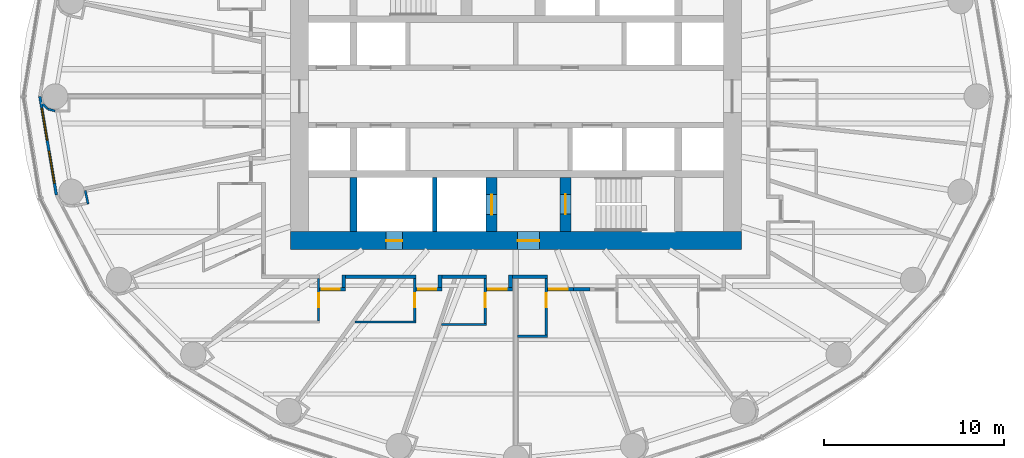
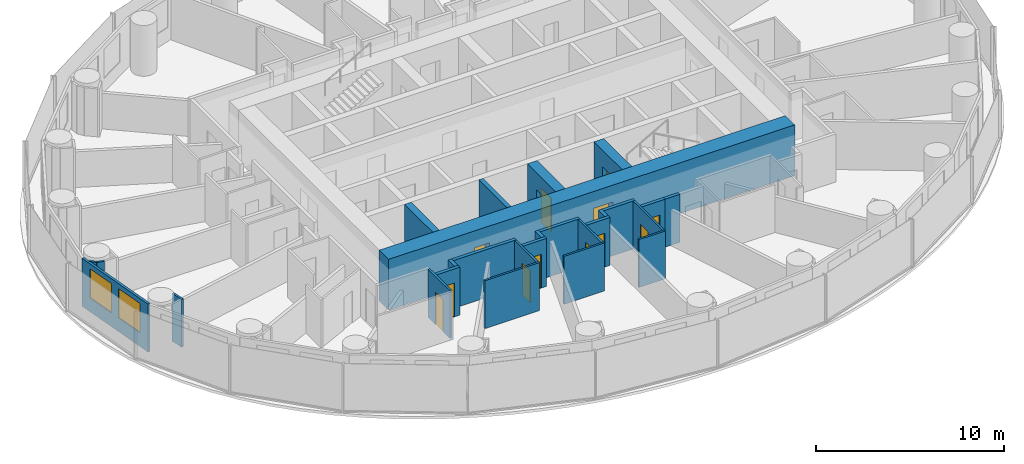
# One storey, part 7 of 14: 27 walls, 12 doors, 2 windows, 14 openings.
"""IFC4 building model written with IfcOpenShell, lengths in metres."""

import ifcopenshell
import ifcopenshell.guid

model = None  # the IFC model being written
_history = None  # IfcOwnerHistory: only IFC2X3 demands one
_inside = {}  # id of a spatial element -> (the spatial element, [elements in it])
_under = {}  # id of a project, library or spatial element -> (it, [spatial elements below it])
_declared = {}  # id of a project -> (the project, [libraries it declares])
_typed = {}  # id of a type object -> (the type object, [elements of that type])
_made_of = {}  # id of a material, layer set ... -> (it, [elements and type objects made of it])


def new_model(schema):
    """Start an empty IFC model of exactly this schema.

    Asked for "IFC4X3", IfcOpenShell would pick the latest addendum, in which some entities
    have other attributes; the version numbers below select the first issue.
    IFC2X3 requires an IfcOwnerHistory on every rooted entity: one is made here for all.
    """
    global model, _history
    if schema == "IFC4X3":
        model = ifcopenshell.file(schema_version=(4, 3, 0, 0))
    else:
        model = ifcopenshell.file(schema=schema)
    _inside.clear()
    _under.clear()
    _declared.clear()
    _typed.clear()
    _made_of.clear()
    _history = None
    if model.schema == "IFC2X3":
        org = make("IfcOrganization", Name="unknown")
        user = make(
            "IfcPersonAndOrganization",
            ThePerson=make("IfcPerson", FamilyName="unknown"),
            TheOrganization=org,
        )
        app = make(
            "IfcApplication",
            ApplicationDeveloper=org,
            Version="unknown",
            ApplicationFullName="unknown",
            ApplicationIdentifier="unknown",
        )
        _history = make(
            "IfcOwnerHistory",
            OwningUser=user,
            OwningApplication=app,
            ChangeAction="ADDED",
            CreationDate=0,
        )
    return model


def make(cls, **values):
    """One entity of the class cls with the attributes given. An attribute that is None is left unset."""
    return model.create_entity(
        cls, **{name: value for name, value in values.items() if value is not None}
    )


def rooted(cls, **values):
    """An entity with a GlobalId (a new one), such as an element, a storey or a relation."""
    return make(cls, GlobalId=ifcopenshell.guid.new(), OwnerHistory=_history, **values)


def si_unit(unit_type, name, prefix=None):
    """IfcSIUnit, for example si_unit("LENGTHUNIT", "METRE", prefix="MILLI")."""
    return make("IfcSIUnit", UnitType=unit_type, Prefix=prefix, Name=name)


def assignment(units):
    """IfcUnitAssignment: the units of a project."""
    return None if units is None else make("IfcUnitAssignment", Units=units)


def point(xyz):
    """IfcCartesianPoint."""
    return None if xyz is None else make("IfcCartesianPoint", Coordinates=xyz)


def direction(xyz):
    """IfcDirection."""
    return None if xyz is None else make("IfcDirection", DirectionRatios=xyz)


def frame(location, z_axis=None, x_axis=None):
    """IfcAxis2Placement3D, a coordinate frame: its origin and axes. An axis left out is left unset."""
    return make(
        "IfcAxis2Placement3D",
        Location=point(location),
        Axis=direction(z_axis),
        RefDirection=direction(x_axis),
    )


def frame_2d(location, x_axis=None):
    """IfcAxis2Placement2D, a coordinate frame in the plane: its origin and x axis."""
    return make(
        "IfcAxis2Placement2D", Location=point(location), RefDirection=direction(x_axis)
    )


def origin():
    """The frame at (0, 0, 0) with its axes left unset."""
    return frame((0.0, 0.0, 0.0))


def place(relative_to, where):
    """IfcLocalPlacement: puts the frame where relative to a parent placement (None: the world)."""
    return make(
        "IfcLocalPlacement", PlacementRelTo=relative_to, RelativePlacement=where
    )


def context(
    kind, dimensions, precision=None, world=None, true_north=None, identifier=None
):
    """IfcGeometricRepresentationContext, for example the 3D "Model" context."""
    return make(
        "IfcGeometricRepresentationContext",
        ContextIdentifier=identifier,
        ContextType=kind,
        CoordinateSpaceDimension=dimensions,
        Precision=precision,
        WorldCoordinateSystem=world,
        TrueNorth=true_north,
    )


def subcontext(parent, identifier, kind, view, scale=None):
    """IfcGeometricRepresentationSubContext, for example "Body" below "Model"."""
    return make(
        "IfcGeometricRepresentationSubContext",
        ContextIdentifier=identifier,
        ContextType=kind,
        ParentContext=parent,
        TargetScale=scale,
        TargetView=view,
    )


def project(units=None, contexts=None):
    """IfcProject with its units and contexts."""
    return rooted(
        "IfcProject",
        Name="project",
        RepresentationContexts=contexts,
        UnitsInContext=assignment(units),
    )


def spatial(cls, under=None, at=None, **own):
    """A site, building, storey or space (cls), placed at a placement, below another one or the project."""
    s = rooted(cls, ObjectPlacement=at, **own)
    if under is not None:
        _under.setdefault(under.id(), (under, []))[1].append(s)
    return s


def profile(cls, at=None, kind="AREA", **sizes):
    """A parametric profile (cls). Its sizes go by their IFC names, for example OverallWidth=200.0."""
    return make(cls, ProfileType=kind, Position=at, **sizes)


def rectangle(**sizes):
    """IfcRectangleProfileDef."""
    return profile("IfcRectangleProfileDef", **sizes)


def extrude(swept, where, along, depth):
    """IfcExtrudedAreaSolid: the profile swept, set in the frame where, extruded along a direction by depth."""
    return make(
        "IfcExtrudedAreaSolid",
        SweptArea=swept,
        Position=where,
        ExtrudedDirection=direction(along),
        Depth=depth,
    )


def shape(context_of_items, identifier, shape_type, items):
    """IfcShapeRepresentation: the items that make up one representation, for example the "Body"."""
    return make(
        "IfcShapeRepresentation",
        ContextOfItems=context_of_items,
        RepresentationIdentifier=identifier,
        RepresentationType=shape_type,
        Items=items,
    )


def material(Name=None, Category=None):
    """IfcMaterial."""
    return make("IfcMaterial", Name=Name, Category=Category)


def layer(
    of_material, thickness, ventilated=None, Name=None, Category=None, Priority=None
):
    """IfcMaterialLayer: one layer of a wall or slab, of a material (None: an air gap)."""
    return make(
        "IfcMaterialLayer",
        Material=of_material,
        LayerThickness=thickness,
        IsVentilated=ventilated,
        Name=Name,
        Category=Category,
        Priority=Priority,
    )


def layer_set(layers, Name=None):
    """IfcMaterialLayerSet."""
    return make("IfcMaterialLayerSet", MaterialLayers=layers, LayerSetName=Name)


def made_of(thing, what):
    """Note that an element or type object is made of a material, layer set ...; save() writes the relation."""
    if what is not None:
        _made_of.setdefault(what.id(), (what, []))[1].append(thing)
    return thing


def type_object(cls, material=None, **own):
    """A type object (cls), such as IfcWallType, which elements share."""
    return made_of(rooted(cls, **own), material)


def element(
    cls,
    number,
    at=None,
    inside=None,
    cuts=None,
    type_object=None,
    material=None,
    context=None,
    identifier="Body",
    shape_type=None,
    held_by="IfcProductDefinitionShape",
    body=None,
    shapes=None,
    **own,
):
    """One element of the class cls, such as IfcWall. Its Tag is "e" and its number.

    at: its placement. inside: the storey or other place that contains it. cuts: it is an
    opening in that element (IfcRelVoidsElement). A single representation is given by context,
    identifier, shape_type and body (its items); several are given by shapes. held_by: the class
    of the entity that holds the representations. save() writes the other relations.
    """
    e = rooted(cls, Tag="e%d" % number, ObjectPlacement=at, **own)
    if body is not None:
        shapes = [shape(context, identifier, shape_type, body)]
    if shapes is not None:
        e.Representation = make(held_by, Representations=shapes)
    if inside is not None:
        _inside.setdefault(inside.id(), (inside, []))[1].append(e)
    if cuts is not None:
        rooted(
            "IfcRelVoidsElement", RelatingBuildingElement=cuts, RelatedOpeningElement=e
        )
    if type_object is not None:
        _typed.setdefault(type_object.id(), (type_object, []))[1].append(e)
    return made_of(e, material)


def fill(opening, filler):
    """IfcRelFillsElement: the door or window that sits in an opening."""
    return rooted(
        "IfcRelFillsElement",
        RelatingOpeningElement=opening,
        RelatedBuildingElement=filler,
    )


def aggregate(whole, parts):
    """IfcRelAggregates: a whole, such as a stair, and the parts it consists of."""
    return rooted("IfcRelAggregates", RelatingObject=whole, RelatedObjects=parts)


def save(model, path):
    """Write the relations noted so far, then the file.

    IfcRelAggregates (storeys below a building ...), IfcRelContainedInSpatialStructure (elements
    in a storey), IfcRelDefinesByType, IfcRelAssociatesMaterial and IfcRelDeclares: one each for
    every whole, place, type object, material and project.
    """
    for whole, parts in _under.values():
        aggregate(whole, parts)
    for where, things in _inside.values():
        rooted(
            "IfcRelContainedInSpatialStructure",
            RelatedElements=things,
            RelatingStructure=where,
        )
    for kind, things in _typed.values():
        rooted("IfcRelDefinesByType", RelatedObjects=things, RelatingType=kind)
    for what, things in _made_of.values():
        rooted("IfcRelAssociatesMaterial", RelatedObjects=things, RelatingMaterial=what)
    for by, libraries in _declared.values():
        rooted("IfcRelDeclares", RelatingContext=by, RelatedDefinitions=libraries)
    model.write(path)


model = new_model("IFC4")

# Units and contexts
model_context = context("Model", 3, precision=1e-05, world=origin(), true_north=direction((0.0, 1.0)))
body_context = subcontext(model_context, "Body", "Model", "MODEL_VIEW")
ifc_project = project(units=[si_unit("LENGTHUNIT", "METRE"), si_unit("AREAUNIT", "SQUARE_METRE"), si_unit("VOLUMEUNIT", "CUBIC_METRE"), si_unit("PLANEANGLEUNIT", "RADIAN"), si_unit("MASSUNIT", "GRAM", prefix="KILO")], contexts=[model_context])

# Site, building, storey
site_placement = place(None, origin())
site = spatial("IfcSite", under=ifc_project, at=site_placement, CompositionType="ELEMENT")
building_placement = place(site_placement, origin())
building = spatial("IfcBuilding", under=site, at=building_placement, Name="Hankou Lantern Tower", CompositionType="ELEMENT")
storey_placement = place(building_placement, frame((0.0, 0.0, 54.0)))
storey = spatial("IfcBuildingStorey", under=building, at=storey_placement, Name="L12", CompositionType="ELEMENT", Elevation=54.0)

# Wall, openings, doors
ifc_material_1 = material(Name="Concrete C60", Category="concrete")
ifc_layer_1 = layer(ifc_material_1, 1.0)
ifc_layer_set_1 = layer_set([ifc_layer_1], Name="Concrete C60")
wall_type_1 = type_object("IfcWallType", Name="CW1 CORE WALL 1000", PredefinedType="SHEAR", material=ifc_layer_set_1)
wall_1_placement = place(storey_placement, frame((12.5, -8.0, 0.0), z_axis=(0.0, 0.0, 1.0), x_axis=(-1.0, 0.0, 0.0)))
wall_1 = element("IfcWall", 1, at=wall_1_placement, inside=storey, type_object=wall_type_1, Name="Core wall south L12", PredefinedType="SHEAR", context=body_context, shape_type="SweptSolid", body=[
    extrude(rectangle(XDim=25.0, YDim=1.0, at=frame_2d((12.5, 0.0))), origin(), (0.0, 0.0, 1.0), 3.300048828125),
])
opening_1_placement = place(wall_1_placement, frame((11.199951171875, 0.0, 0.0)))
opening_1 = element("IfcOpeningElement", 2, at=opening_1_placement, cuts=wall_1, Name="Opening D5", PredefinedType="OPENING", context=body_context, shape_type="SweptSolid", body=[
    extrude(rectangle(XDim=1.199951171875, YDim=2.199951171875, at=frame_2d((0.60009765625, 1.10009765625))), frame((0.0, 0.510009765625, 0.0), z_axis=(0.0, -1.0, 0.0), x_axis=(1.0, 0.0, 0.0)), (0.0, 0.0, 1.0), 1.02001953125),
])
opening_2_placement = place(wall_1_placement, frame((18.800048828125, 0.0, 0.0)))
opening_2 = element("IfcOpeningElement", 3, at=opening_2_placement, cuts=wall_1, Name="Opening D7", PredefinedType="OPENING", context=body_context, shape_type="SweptSolid", body=[
    extrude(rectangle(XDim=0.89990234375, YDim=2.199951171875, at=frame_2d((0.449951171875, 1.10009765625))), frame((0.0, 0.510009765625, 0.0), z_axis=(0.0, -1.0, 0.0), x_axis=(1.0, 0.0, 0.0)), (0.0, 0.0, 1.0), 1.02001953125),
])
ifc_material_2 = material(Name="Steel door leaf", Category="steel")
door_type_1 = type_object("IfcDoorType", Name="D5 STAIR LOBBY DOOR 1200X2200", OperationType="SINGLE_SWING_LEFT", PredefinedType="DOOR", material=ifc_material_2)
door_1_placement = place(opening_1_placement, origin())
door_1 = element("IfcDoor", 4, at=door_1_placement, inside=storey, type_object=door_type_1, Name="Stair B lobby door", OperationType="SINGLE_SWING_LEFT", OverallHeight=2.199951171875, OverallWidth=1.199951171875, PredefinedType="DOOR", context=body_context, shape_type="SweptSolid", body=[
    extrude(rectangle(XDim=1.199951171875, YDim=2.199951171875, at=frame_2d((0.60009765625, 1.10009765625))), frame((0.0, 0.02490234375, 0.0), z_axis=(0.0, -1.0, 0.0), x_axis=(1.0, 0.0, 0.0)), (0.0, 0.0, 1.0), 0.050048828125),
])
fill(opening_1, door_1)
ifc_material_3 = material(Name="Steel door leaf", Category="steel")
door_type_2 = type_object("IfcDoorType", Name="D7 RISER DOOR 900X2200", OperationType="SINGLE_SWING_LEFT", PredefinedType="DOOR", material=ifc_material_3)
door_2_placement = place(opening_2_placement, origin())
door_2 = element("IfcDoor", 5, at=door_2_placement, inside=storey, type_object=door_type_2, Name="Riser S1 door", OperationType="SINGLE_SWING_RIGHT", OverallHeight=2.199951171875, OverallWidth=0.89990234375, PredefinedType="DOOR", context=body_context, shape_type="SweptSolid", body=[
    extrude(rectangle(XDim=0.89990234375, YDim=2.199951171875, at=frame_2d((0.449951171875, 1.10009765625))), frame((0.0, 0.02490234375, 0.0), z_axis=(0.0, -1.0, 0.0), x_axis=(1.0, 0.0, 0.0)), (0.0, 0.0, 1.0), 0.050048828125),
])
fill(opening_2, door_2)

# Wall
ifc_material_4 = material(Name="Concrete C60", Category="concrete")
ifc_layer_2 = layer(ifc_material_4, 0.39990234375)
ifc_layer_set_2 = layer_set([ifc_layer_2], Name="Concrete C60")
wall_type_2 = type_object("IfcWallType", Name="CW4 CORE CROSS WALL 400", PredefinedType="SHEAR", material=ifc_layer_set_2)
wall_2_placement = place(storey_placement, frame((-9.0, -7.5, 0.0), z_axis=(0.0, 0.0, 1.0), x_axis=(0.0, 1.0, 0.0)))
element("IfcWall", 6, at=wall_2_placement, inside=storey, type_object=wall_type_2, Name="Core strip wall L12", PredefinedType="SHEAR", context=body_context, shape_type="SweptSolid", body=[
    extrude(rectangle(XDim=3.0, YDim=0.39990234375, at=frame_2d((1.5, 0.0))), origin(), (0.0, 0.0, 1.0), 3.300048828125),
])

# Wall, opening, door
ifc_material_5 = material(Name="Concrete C60", Category="concrete")
ifc_layer_3 = layer(ifc_material_5, 0.60009765625)
ifc_layer_set_3 = layer_set([ifc_layer_3], Name="Concrete C60")
wall_type_3 = type_object("IfcWallType", Name="CW6 STAIR AND SHAFT WALL 600", PredefinedType="SHEAR", material=ifc_layer_set_3)
wall_3_placement = place(storey_placement, frame((2.75, -7.5, 0.0), z_axis=(0.0, 0.0, 1.0), x_axis=(0.0, 1.0, 0.0)))
wall_3 = element("IfcWall", 7, at=wall_3_placement, inside=storey, type_object=wall_type_3, Name="Stair wall L12", PredefinedType="SHEAR", context=body_context, shape_type="SweptSolid", body=[
    extrude(rectangle(XDim=3.0, YDim=0.60009765625, at=frame_2d((1.5, 0.0))), origin(), (0.0, 0.0, 1.0), 3.300048828125),
])
opening_3_placement = place(wall_3_placement, frame((0.97509765625, 0.0, 0.0)))
opening_3 = element("IfcOpeningElement", 8, at=opening_3_placement, cuts=wall_3, Name="Opening D4", PredefinedType="OPENING", context=body_context, shape_type="SweptSolid", body=[
    extrude(rectangle(XDim=1.10009765625, YDim=2.199951171875, at=frame_2d((0.550048828125, 1.10009765625))), frame((0.0, 0.31005859375, 0.0), z_axis=(0.0, -1.0, 0.0), x_axis=(1.0, 0.0, 0.0)), (0.0, 0.0, 1.0), 0.6201171875),
])
ifc_material_6 = material(Name="Steel door leaf", Category="steel")
door_type_3 = type_object("IfcDoorType", Name="D4 STAIR DOOR 1100X2200", OperationType="SINGLE_SWING_LEFT", PredefinedType="DOOR", material=ifc_material_6)
door_3_placement = place(opening_3_placement, origin())
door_3 = element("IfcDoor", 9, at=door_3_placement, inside=storey, type_object=door_type_3, Name="Stair B door", OperationType="SINGLE_SWING_RIGHT", OverallHeight=2.199951171875, OverallWidth=1.10009765625, PredefinedType="DOOR", context=body_context, shape_type="SweptSolid", body=[
    extrude(rectangle(XDim=1.10009765625, YDim=2.199951171875, at=frame_2d((0.550048828125, 1.10009765625))), frame((0.0, 0.02490234375, 0.0), z_axis=(0.0, -1.0, 0.0), x_axis=(1.0, 0.0, 0.0)), (0.0, 0.0, 1.0), 0.050048828125),
])
fill(opening_3, door_3)

wall_4_placement = place(storey_placement, frame((-1.35009765625, -7.5, 0.0), z_axis=(0.0, 0.0, 1.0), x_axis=(0.0, 1.0, 0.0)))
wall_4 = element("IfcWall", 10, at=wall_4_placement, inside=storey, type_object=wall_type_3, Name="Firefighting lift shaft wall L12", PredefinedType="SHEAR", context=body_context, shape_type="SweptSolid", body=[
    extrude(rectangle(XDim=3.0, YDim=0.60009765625, at=frame_2d((1.5, 0.0))), origin(), (0.0, 0.0, 1.0), 3.300048828125),
])
opening_4_placement = place(wall_4_placement, frame((0.949951171875, 0.0, 0.0)))
opening_4 = element("IfcOpeningElement", 11, at=opening_4_placement, cuts=wall_4, Name="Opening LD2", PredefinedType="OPENING", context=body_context, shape_type="SweptSolid", body=[
    extrude(rectangle(XDim=1.10009765625, YDim=2.199951171875, at=frame_2d((0.550048828125, 1.10009765625))), frame((0.0, 0.31005859375, 0.0), z_axis=(0.0, -1.0, 0.0), x_axis=(1.0, 0.0, 0.0)), (0.0, 0.0, 1.0), 0.6201171875),
])
ifc_material_7 = material(Name="Steel door leaf", Category="steel")
door_type_4 = type_object("IfcDoorType", Name="LD2 FIREFIGHTING LIFT LANDING DOOR 1100X2200", OperationType="DOUBLE_DOOR_SLIDING", PredefinedType="DOOR", material=ifc_material_7)
door_4_placement = place(opening_4_placement, origin())
door_4 = element("IfcDoor", 12, at=door_4_placement, inside=storey, type_object=door_type_4, Name="Firefighting lift FL2 landing door", OperationType="DOUBLE_DOOR_SLIDING", OverallHeight=2.199951171875, OverallWidth=1.10009765625, PredefinedType="DOOR", context=body_context, shape_type="SweptSolid", body=[
    extrude(rectangle(XDim=1.10009765625, YDim=2.199951171875, at=frame_2d((0.550048828125, 1.10009765625))), frame((0.0, 0.02490234375, 0.0), z_axis=(0.0, -1.0, 0.0), x_axis=(1.0, 0.0, 0.0)), (0.0, 0.0, 1.0), 0.050048828125),
])
fill(opening_4, door_4)

# Wall, openings, windows
ifc_material_8 = material(Name="Aluminium spandrel panel on steel studs", Category="steel")
ifc_layer_4 = layer(ifc_material_8, 0.14990234375)
ifc_layer_set_4 = layer_set([ifc_layer_4], Name="Aluminium spandrel panel on steel studs")
wall_type_4 = type_object("IfcWallType", Name="EW1 INNER SKIN WALL 150", PredefinedType="ELEMENTEDWALL", material=ifc_layer_set_4)
wall_5_placement = place(storey_placement, frame((-26.39990234375, 0.0, 0.0), z_axis=(0.0, 0.0, 1.0), x_axis=(0.165642551694, -0.986185857264, 0.0)))
wall_5 = element("IfcWall", 13, at=wall_5_placement, inside=storey, type_object=wall_type_4, Name="Inner skin R13-R14 L12", PredefinedType="ELEMENTEDWALL", context=body_context, shape_type="SweptSolid", body=[
    extrude(rectangle(XDim=5.538818359375, YDim=0.14990234375, at=frame_2d((2.76953125, 0.0))), origin(), (0.0, 0.0, 1.0), 3.1201171875),
])
opening_5_placement = place(wall_5_placement, frame((0.66943359375, 0.0, 0.89990234375)))
opening_5 = element("IfcOpeningElement", 14, at=opening_5_placement, cuts=wall_5, Name="Opening W1", PredefinedType="OPENING", context=body_context, shape_type="SweptSolid", body=[
    extrude(rectangle(XDim=1.800048828125, YDim=1.89990234375, at=frame_2d((0.89990234375, 0.949951171875))), frame((0.0, 0.0849609375, 0.0), z_axis=(0.0, -1.0, 0.0), x_axis=(1.0, 0.0, 0.0)), (0.0, 0.0, 1.0), 0.169921875),
])
opening_6_placement = place(wall_5_placement, frame((3.069580078125, 0.0, 0.89990234375)))
opening_6 = element("IfcOpeningElement", 15, at=opening_6_placement, cuts=wall_5, Name="Opening W1", PredefinedType="OPENING", context=body_context, shape_type="SweptSolid", body=[
    extrude(rectangle(XDim=1.800048828125, YDim=1.89990234375, at=frame_2d((0.89990234375, 0.949951171875))), frame((0.0, 0.0849609375, 0.0), z_axis=(0.0, -1.0, 0.0), x_axis=(1.0, 0.0, 0.0)), (0.0, 0.0, 1.0), 0.169921875),
])
ifc_material_9 = material(Name="Aluminium framed double glazed window", Category="aluminium")
window_type = type_object("IfcWindowType", Name="W1 GUEST ROOM WINDOW 1800X1900", PartitioningType="DOUBLE_PANEL_VERTICAL", PredefinedType="WINDOW", material=ifc_material_9)
window_1_placement = place(opening_5_placement, origin())
window_1 = element("IfcWindow", 16, at=window_1_placement, inside=storey, type_object=window_type, Name="Window R13.1 L12", OverallHeight=1.89990234375, OverallWidth=1.800048828125, PartitioningType="SINGLE_PANEL", PredefinedType="WINDOW", context=body_context, shape_type="SweptSolid", body=[
    extrude(rectangle(XDim=1.800048828125, YDim=1.89990234375, at=frame_2d((0.89990234375, 0.949951171875))), frame((0.0, 0.030029296875, 0.0), z_axis=(0.0, -1.0, 0.0), x_axis=(1.0, 0.0, 0.0)), (0.0, 0.0, 1.0), 0.06005859375),
])
fill(opening_5, window_1)
window_2_placement = place(opening_6_placement, origin())
window_2 = element("IfcWindow", 17, at=window_2_placement, inside=storey, type_object=window_type, Name="Window R13.2 L12", OverallHeight=1.89990234375, OverallWidth=1.800048828125, PartitioningType="SINGLE_PANEL", PredefinedType="WINDOW", context=body_context, shape_type="SweptSolid", body=[
    extrude(rectangle(XDim=1.800048828125, YDim=1.89990234375, at=frame_2d((0.89990234375, 0.949951171875))), frame((0.0, 0.030029296875, 0.0), z_axis=(0.0, -1.0, 0.0), x_axis=(1.0, 0.0, 0.0)), (0.0, 0.0, 1.0), 0.06005859375),
])
fill(opening_6, window_2)

# Wall, opening, door
ifc_material_10 = material(Name="Masonry lightweight concrete block", Category="masonry")
ifc_layer_5 = layer(ifc_material_10, 0.199951171875)
ifc_layer_set_5 = layer_set([ifc_layer_5], Name="Masonry lightweight concrete block")
wall_type_5 = type_object("IfcWallType", Name="IW2 CORRIDOR WALL 200", PredefinedType="PARTITIONING", material=ifc_layer_set_5)
wall_6_placement = place(storey_placement, frame((-9.445068359375, -10.699951171875, 0.0), z_axis=(0.0, 0.0, 1.0), x_axis=(-1.0, 0.0, 0.0)))
wall_6 = element("IfcWall", 18, at=wall_6_placement, inside=storey, type_object=wall_type_5, Name="Corridor recess wall 1212 back", PredefinedType="PARTITIONING", context=body_context, shape_type="SweptSolid", body=[
    extrude(rectangle(XDim=1.43994140625, YDim=0.199951171875, at=frame_2d((0.719970703125, 0.0))), origin(), (0.0, 0.0, 1.0), 3.1201171875),
])
opening_7_placement = place(wall_6_placement, frame((0.320068359375, 0.0, 0.0)))
opening_7 = element("IfcOpeningElement", 19, at=opening_7_placement, cuts=wall_6, Name="Opening D1", PredefinedType="OPENING", context=body_context, shape_type="SweptSolid", body=[
    extrude(rectangle(XDim=1.0, YDim=2.199951171875, at=frame_2d((0.5, 1.10009765625))), frame((0.0, 0.10986328125, 0.0), z_axis=(0.0, -1.0, 0.0), x_axis=(1.0, 0.0, 0.0)), (0.0, 0.0, 1.0), 0.219970703125),
])
ifc_material_11 = material(Name="Steel door leaf", Category="steel")
door_type_5 = type_object("IfcDoorType", Name="D1 GUEST ROOM DOOR 1000X2200", OperationType="SINGLE_SWING_LEFT", PredefinedType="DOOR", material=ifc_material_11)
door_5_placement = place(opening_7_placement, origin())
door_5 = element("IfcDoor", 20, at=door_5_placement, inside=storey, type_object=door_type_5, Name="Guest room door 1212", OperationType="SINGLE_SWING_RIGHT", OverallHeight=2.199951171875, OverallWidth=1.0, PredefinedType="DOOR", context=body_context, shape_type="SweptSolid", body=[
    extrude(rectangle(XDim=1.0, YDim=2.199951171875, at=frame_2d((0.5, 1.10009765625))), frame((0.0, 0.02490234375, 0.0), z_axis=(0.0, -1.0, 0.0), x_axis=(1.0, 0.0, 0.0)), (0.0, 0.0, 1.0), 0.050048828125),
])
fill(opening_7, door_5)

# Wall
wall_7_placement = place(storey_placement, frame((-9.544921875, -9.89990234375, 0.0), z_axis=(0.0, 0.0, 1.0), x_axis=(0.0, -1.0, 0.0)))
element("IfcWall", 21, at=wall_7_placement, inside=storey, type_object=wall_type_5, Name="Corridor recess wall 1212 side", PredefinedType="PARTITIONING", context=body_context, shape_type="SweptSolid", body=[
    extrude(rectangle(XDim=0.7001953125, YDim=0.199951171875, at=frame_2d((0.35009765625, 0.0))), origin(), (0.0, 0.0, 1.0), 3.1201171875),
])

# Wall, opening, door
wall_8_placement = place(storey_placement, frame((-4.109130859375, -10.699951171875, 0.0), z_axis=(0.0, 0.0, 1.0), x_axis=(-1.0, 0.0, 0.0)))
wall_8 = element("IfcWall", 22, at=wall_8_placement, inside=storey, type_object=wall_type_5, Name="Corridor recess wall 1213 back", PredefinedType="PARTITIONING", context=body_context, shape_type="SweptSolid", body=[
    extrude(rectangle(XDim=1.43994140625, YDim=0.199951171875, at=frame_2d((0.719970703125, 0.0))), origin(), (0.0, 0.0, 1.0), 3.1201171875),
])
opening_8_placement = place(wall_8_placement, frame((0.320068359375, 0.0, 0.0)))
opening_8 = element("IfcOpeningElement", 23, at=opening_8_placement, cuts=wall_8, Name="Opening D1", PredefinedType="OPENING", context=body_context, shape_type="SweptSolid", body=[
    extrude(rectangle(XDim=1.0, YDim=2.199951171875, at=frame_2d((0.5, 1.10009765625))), frame((0.0, 0.10986328125, 0.0), z_axis=(0.0, -1.0, 0.0), x_axis=(1.0, 0.0, 0.0)), (0.0, 0.0, 1.0), 0.219970703125),
])
door_6_placement = place(opening_8_placement, origin())
door_6 = element("IfcDoor", 24, at=door_6_placement, inside=storey, type_object=door_type_5, Name="Guest room door 1213", OperationType="SINGLE_SWING_RIGHT", OverallHeight=2.199951171875, OverallWidth=1.0, PredefinedType="DOOR", context=body_context, shape_type="SweptSolid", body=[
    extrude(rectangle(XDim=1.0, YDim=2.199951171875, at=frame_2d((0.5, 1.10009765625))), frame((0.0, 0.02490234375, 0.0), z_axis=(0.0, -1.0, 0.0), x_axis=(1.0, 0.0, 0.0)), (0.0, 0.0, 1.0), 0.050048828125),
])
fill(opening_8, door_6)

# Wall
wall_9_placement = place(storey_placement, frame((-4.208984375, -9.89990234375, 0.0), z_axis=(0.0, 0.0, 1.0), x_axis=(0.0, -1.0, 0.0)))
element("IfcWall", 25, at=wall_9_placement, inside=storey, type_object=wall_type_5, Name="Corridor recess wall 1213 side", PredefinedType="PARTITIONING", context=body_context, shape_type="SweptSolid", body=[
    extrude(rectangle(XDim=0.7001953125, YDim=0.199951171875, at=frame_2d((0.35009765625, 0.0))), origin(), (0.0, 0.0, 1.0), 3.1201171875),
])

# Wall, opening, door
wall_10_placement = place(storey_placement, frame((-0.202880859375, -10.699951171875, 0.0), z_axis=(0.0, 0.0, 1.0), x_axis=(-1.0, 0.0, 0.0)))
wall_10 = element("IfcWall", 26, at=wall_10_placement, inside=storey, type_object=wall_type_5, Name="Corridor recess wall 1214 back", PredefinedType="PARTITIONING", context=body_context, shape_type="SweptSolid", body=[
    extrude(rectangle(XDim=1.43994140625, YDim=0.199951171875, at=frame_2d((0.719970703125, 0.0))), origin(), (0.0, 0.0, 1.0), 3.1201171875),
])
opening_9_placement = place(wall_10_placement, frame((0.320068359375, 0.0, 0.0)))
opening_9 = element("IfcOpeningElement", 27, at=opening_9_placement, cuts=wall_10, Name="Opening D1", PredefinedType="OPENING", context=body_context, shape_type="SweptSolid", body=[
    extrude(rectangle(XDim=1.0, YDim=2.199951171875, at=frame_2d((0.5, 1.10009765625))), frame((0.0, 0.10986328125, 0.0), z_axis=(0.0, -1.0, 0.0), x_axis=(1.0, 0.0, 0.0)), (0.0, 0.0, 1.0), 0.219970703125),
])
door_7_placement = place(opening_9_placement, origin())
door_7 = element("IfcDoor", 28, at=door_7_placement, inside=storey, type_object=door_type_5, Name="Guest room door 1214", OperationType="SINGLE_SWING_RIGHT", OverallHeight=2.199951171875, OverallWidth=1.0, PredefinedType="DOOR", context=body_context, shape_type="SweptSolid", body=[
    extrude(rectangle(XDim=1.0, YDim=2.199951171875, at=frame_2d((0.5, 1.10009765625))), frame((0.0, 0.02490234375, 0.0), z_axis=(0.0, -1.0, 0.0), x_axis=(1.0, 0.0, 0.0)), (0.0, 0.0, 1.0), 0.050048828125),
])
fill(opening_9, door_7)

# Wall
wall_11_placement = place(storey_placement, frame((-0.302978515625, -9.89990234375, 0.0), z_axis=(0.0, 0.0, 1.0), x_axis=(0.0, -1.0, 0.0)))
element("IfcWall", 29, at=wall_11_placement, inside=storey, type_object=wall_type_5, Name="Corridor recess wall 1214 side", PredefinedType="PARTITIONING", context=body_context, shape_type="SweptSolid", body=[
    extrude(rectangle(XDim=0.7001953125, YDim=0.199951171875, at=frame_2d((0.35009765625, 0.0))), origin(), (0.0, 0.0, 1.0), 3.1201171875),
])

# Wall, opening, door
wall_12_placement = place(storey_placement, frame((3.179931640625, -10.699951171875, 0.0), z_axis=(0.0, 0.0, 1.0), x_axis=(-1.0, 0.0, 0.0)))
wall_12 = element("IfcWall", 30, at=wall_12_placement, inside=storey, type_object=wall_type_5, Name="Corridor recess wall 1215 back", PredefinedType="PARTITIONING", context=body_context, shape_type="SweptSolid", body=[
    extrude(rectangle(XDim=1.43994140625, YDim=0.199951171875, at=frame_2d((0.719970703125, 0.0))), origin(), (0.0, 0.0, 1.0), 3.1201171875),
])
opening_10_placement = place(wall_12_placement, frame((0.320068359375, 0.0, 0.0)))
opening_10 = element("IfcOpeningElement", 31, at=opening_10_placement, cuts=wall_12, Name="Opening D1", PredefinedType="OPENING", context=body_context, shape_type="SweptSolid", body=[
    extrude(rectangle(XDim=1.0, YDim=2.199951171875, at=frame_2d((0.5, 1.10009765625))), frame((0.0, 0.10986328125, 0.0), z_axis=(0.0, -1.0, 0.0), x_axis=(1.0, 0.0, 0.0)), (0.0, 0.0, 1.0), 0.219970703125),
])
door_8_placement = place(opening_10_placement, origin())
door_8 = element("IfcDoor", 32, at=door_8_placement, inside=storey, type_object=door_type_5, Name="Guest room door 1215", OperationType="SINGLE_SWING_RIGHT", OverallHeight=2.199951171875, OverallWidth=1.0, PredefinedType="DOOR", context=body_context, shape_type="SweptSolid", body=[
    extrude(rectangle(XDim=1.0, YDim=2.199951171875, at=frame_2d((0.5, 1.10009765625))), frame((0.0, 0.02490234375, 0.0), z_axis=(0.0, -1.0, 0.0), x_axis=(1.0, 0.0, 0.0)), (0.0, 0.0, 1.0), 0.050048828125),
])
fill(opening_10, door_8)

# Walls
wall_13_placement = place(storey_placement, frame((4.109130859375, -10.699951171875, 0.0), z_axis=(0.0, 0.0, 1.0), x_axis=(-1.0, 0.0, 0.0)))
element("IfcWall", 33, at=wall_13_placement, inside=storey, type_object=wall_type_5, Name="Corridor recess wall 1216 and 1215 back", PredefinedType="PARTITIONING", context=body_context, shape_type="SweptSolid", body=[
    extrude(rectangle(XDim=0.92919921875, YDim=0.199951171875, at=frame_2d((0.464599609375, 0.0))), origin(), (0.0, 0.0, 1.0), 3.1201171875),
])
wall_14_placement = place(storey_placement, frame((1.739990234375, -10.0, 0.0), z_axis=(0.0, 0.0, 1.0), x_axis=(-1.0, 0.0, 0.0)))
element("IfcWall", 34, at=wall_14_placement, inside=storey, type_object=wall_type_5, Name="Corridor wall south", PredefinedType="PARTITIONING", context=body_context, shape_type="SweptSolid", body=[
    extrude(rectangle(XDim=1.94287109375, YDim=0.199951171875, at=frame_2d((0.971435546875, 0.0))), origin(), (0.0, 0.0, 1.0), 3.1201171875),
])
wall_15_placement = place(storey_placement, frame((-1.642822265625, -10.0, 0.0), z_axis=(0.0, 0.0, 1.0), x_axis=(-1.0, 0.0, 0.0)))
element("IfcWall", 35, at=wall_15_placement, inside=storey, type_object=wall_type_5, Name="Corridor wall south", PredefinedType="PARTITIONING", context=body_context, shape_type="SweptSolid", body=[
    extrude(rectangle(XDim=2.46630859375, YDim=0.199951171875, at=frame_2d((1.233154296875, 0.0))), origin(), (0.0, 0.0, 1.0), 3.1201171875),
])
wall_16_placement = place(storey_placement, frame((-5.549072265625, -10.0, 0.0), z_axis=(0.0, 0.0, 1.0), x_axis=(-1.0, 0.0, 0.0)))
element("IfcWall", 36, at=wall_16_placement, inside=storey, type_object=wall_type_5, Name="Corridor wall south", PredefinedType="PARTITIONING", context=body_context, shape_type="SweptSolid", body=[
    extrude(rectangle(XDim=3.89599609375, YDim=0.199951171875, at=frame_2d((1.947998046875, 0.0))), origin(), (0.0, 0.0, 1.0), 3.1201171875),
])

# Wall, opening, door
ifc_material_12 = material(Name="Masonry lightweight concrete block", Category="masonry")
ifc_layer_6 = layer(ifc_material_12, 0.1201171875)
ifc_layer_set_6 = layer_set([ifc_layer_6], Name="Masonry lightweight concrete block")
wall_type_6 = type_object("IfcWallType", Name="IW3 BATHROOM WALL 120", PredefinedType="PARTITIONING", material=ifc_layer_set_6)
wall_17_placement = place(storey_placement, frame((-10.945068359375, -10.10009765625, 0.0), z_axis=(0.0, 0.0, 1.0), x_axis=(0.0, -1.0, 0.0)))
wall_17 = element("IfcWall", 37, at=wall_17_placement, inside=storey, type_object=wall_type_6, Name="Box wall 1212 1", PredefinedType="PARTITIONING", context=body_context, shape_type="SweptSolid", body=[
    extrude(rectangle(XDim=2.33984375, YDim=0.1201171875, at=frame_2d((1.169921875, 0.0))), origin(), (0.0, 0.0, 1.0), 3.1201171875),
])
opening_11_placement = place(wall_17_placement, frame((0.800048828125, 0.0, 0.0)))
opening_11 = element("IfcOpeningElement", 38, at=opening_11_placement, cuts=wall_17, Name="Opening D3", PredefinedType="OPENING", context=body_context, shape_type="SweptSolid", body=[
    extrude(rectangle(XDim=0.800048828125, YDim=2.10009765625, at=frame_2d((0.39990234375, 1.050048828125))), frame((0.0, 0.070068359375, 0.0), z_axis=(0.0, -1.0, 0.0), x_axis=(1.0, 0.0, 0.0)), (0.0, 0.0, 1.0), 0.14013671875),
])
ifc_material_13 = material(Name="Timber door leaf", Category="wood")
door_type_6 = type_object("IfcDoorType", Name="D3 BATHROOM DOOR 800X2100", OperationType="SINGLE_SWING_LEFT", PredefinedType="DOOR", material=ifc_material_13)
door_9_placement = place(opening_11_placement, origin())
door_9 = element("IfcDoor", 39, at=door_9_placement, inside=storey, type_object=door_type_6, Name="En-suite bathroom 1212 door", OperationType="SINGLE_SWING_LEFT", OverallHeight=2.10009765625, OverallWidth=0.800048828125, PredefinedType="DOOR", context=body_context, shape_type="SweptSolid", body=[
    extrude(rectangle(XDim=0.800048828125, YDim=2.10009765625, at=frame_2d((0.39990234375, 1.050048828125))), frame((0.0, 0.02490234375, 0.0), z_axis=(0.0, -1.0, 0.0), x_axis=(1.0, 0.0, 0.0)), (0.0, 0.0, 1.0), 0.050048828125),
])
fill(opening_11, door_9)

# Wall
wall_18_placement = place(storey_placement, frame((-8.921142578125, -12.5, 0.0), z_axis=(0.0, 0.0, 1.0), x_axis=(1.0, 0.0, 0.0)))
element("IfcWall", 40, at=wall_18_placement, inside=storey, type_object=wall_type_6, Name="Box wall 1213 1", PredefinedType="PARTITIONING", context=body_context, shape_type="SweptSolid", body=[
    extrude(rectangle(XDim=3.3720703125, YDim=0.1201171875, at=frame_2d((1.68603515625, 0.0))), origin(), (0.0, 0.0, 1.0), 3.1201171875),
])

# Wall, opening, door
wall_19_placement = place(storey_placement, frame((-5.609130859375, -10.10009765625, 0.0), z_axis=(0.0, 0.0, 1.0), x_axis=(0.0, -1.0, 0.0)))
wall_19 = element("IfcWall", 41, at=wall_19_placement, inside=storey, type_object=wall_type_6, Name="Box wall 1213 1", PredefinedType="PARTITIONING", context=body_context, shape_type="SweptSolid", body=[
    extrude(rectangle(XDim=2.33984375, YDim=0.1201171875, at=frame_2d((1.169921875, 0.0))), origin(), (0.0, 0.0, 1.0), 3.1201171875),
])
opening_12_placement = place(wall_19_placement, frame((0.800048828125, 0.0, 0.0)))
opening_12 = element("IfcOpeningElement", 42, at=opening_12_placement, cuts=wall_19, Name="Opening D3", PredefinedType="OPENING", context=body_context, shape_type="SweptSolid", body=[
    extrude(rectangle(XDim=0.800048828125, YDim=2.10009765625, at=frame_2d((0.39990234375, 1.050048828125))), frame((0.0, 0.070068359375, 0.0), z_axis=(0.0, -1.0, 0.0), x_axis=(1.0, 0.0, 0.0)), (0.0, 0.0, 1.0), 0.14013671875),
])
door_10_placement = place(opening_12_placement, origin())
door_10 = element("IfcDoor", 43, at=door_10_placement, inside=storey, type_object=door_type_6, Name="En-suite bathroom 1213 door", OperationType="SINGLE_SWING_LEFT", OverallHeight=2.10009765625, OverallWidth=0.800048828125, PredefinedType="DOOR", context=body_context, shape_type="SweptSolid", body=[
    extrude(rectangle(XDim=0.800048828125, YDim=2.10009765625, at=frame_2d((0.39990234375, 1.050048828125))), frame((0.0, 0.02490234375, 0.0), z_axis=(0.0, -1.0, 0.0), x_axis=(1.0, 0.0, 0.0)), (0.0, 0.0, 1.0), 0.050048828125),
])
fill(opening_12, door_10)

# Wall
wall_20_placement = place(storey_placement, frame((-4.136962890625, -12.64990234375, 0.0), z_axis=(0.0, 0.0, 1.0), x_axis=(1.0, 0.0, 0.0)))
element("IfcWall", 44, at=wall_20_placement, inside=storey, type_object=wall_type_6, Name="Box wall 1214 1", PredefinedType="PARTITIONING", context=body_context, shape_type="SweptSolid", body=[
    extrude(rectangle(XDim=2.494140625, YDim=0.1201171875, at=frame_2d((1.2470703125, 0.0))), origin(), (0.0, 0.0, 1.0), 3.1201171875),
])

# Wall, opening, door
wall_21_placement = place(storey_placement, frame((-1.702880859375, -10.10009765625, 0.0), z_axis=(0.0, 0.0, 1.0), x_axis=(0.0, -1.0, 0.0)))
wall_21 = element("IfcWall", 45, at=wall_21_placement, inside=storey, type_object=wall_type_6, Name="Box wall 1214 1", PredefinedType="PARTITIONING", context=body_context, shape_type="SweptSolid", body=[
    extrude(rectangle(XDim=2.489990234375, YDim=0.1201171875, at=frame_2d((1.2451171875, 0.0))), origin(), (0.0, 0.0, 1.0), 3.1201171875),
])
opening_13_placement = place(wall_21_placement, frame((0.800048828125, 0.0, 0.0)))
opening_13 = element("IfcOpeningElement", 46, at=opening_13_placement, cuts=wall_21, Name="Opening D3", PredefinedType="OPENING", context=body_context, shape_type="SweptSolid", body=[
    extrude(rectangle(XDim=0.800048828125, YDim=2.10009765625, at=frame_2d((0.39990234375, 1.050048828125))), frame((0.0, 0.070068359375, 0.0), z_axis=(0.0, -1.0, 0.0), x_axis=(1.0, 0.0, 0.0)), (0.0, 0.0, 1.0), 0.14013671875),
])
door_11_placement = place(opening_13_placement, origin())
door_11 = element("IfcDoor", 47, at=door_11_placement, inside=storey, type_object=door_type_6, Name="En-suite bathroom 1214 door", OperationType="SINGLE_SWING_LEFT", OverallHeight=2.10009765625, OverallWidth=0.800048828125, PredefinedType="DOOR", context=body_context, shape_type="SweptSolid", body=[
    extrude(rectangle(XDim=0.800048828125, YDim=2.10009765625, at=frame_2d((0.39990234375, 1.050048828125))), frame((0.0, 0.02490234375, 0.0), z_axis=(0.0, -1.0, 0.0), x_axis=(1.0, 0.0, 0.0)), (0.0, 0.0, 1.0), 0.050048828125),
])
fill(opening_13, door_11)

# Wall
wall_22_placement = place(storey_placement, frame((0.10009765625, -13.300048828125, 0.0), z_axis=(0.0, 0.0, 1.0), x_axis=(1.0, 0.0, 0.0)))
element("IfcWall", 48, at=wall_22_placement, inside=storey, type_object=wall_type_6, Name="Box wall 1215 1", PredefinedType="PARTITIONING", context=body_context, shape_type="SweptSolid", body=[
    extrude(rectangle(XDim=1.639892578125, YDim=0.1201171875, at=frame_2d((0.81982421875, 0.0))), origin(), (0.0, 0.0, 1.0), 3.1201171875),
])

# Wall, opening, door
wall_23_placement = place(storey_placement, frame((1.679931640625, -10.10009765625, 0.0), z_axis=(0.0, 0.0, 1.0), x_axis=(0.0, -1.0, 0.0)))
wall_23 = element("IfcWall", 49, at=wall_23_placement, inside=storey, type_object=wall_type_6, Name="Box wall 1215 1", PredefinedType="PARTITIONING", context=body_context, shape_type="SweptSolid", body=[
    extrude(rectangle(XDim=3.139892578125, YDim=0.1201171875, at=frame_2d((1.56982421875, 0.0))), origin(), (0.0, 0.0, 1.0), 3.1201171875),
])
opening_14_placement = place(wall_23_placement, frame((0.800048828125, 0.0, 0.0)))
opening_14 = element("IfcOpeningElement", 50, at=opening_14_placement, cuts=wall_23, Name="Opening D3", PredefinedType="OPENING", context=body_context, shape_type="SweptSolid", body=[
    extrude(rectangle(XDim=0.800048828125, YDim=2.10009765625, at=frame_2d((0.39990234375, 1.050048828125))), frame((0.0, 0.070068359375, 0.0), z_axis=(0.0, -1.0, 0.0), x_axis=(1.0, 0.0, 0.0)), (0.0, 0.0, 1.0), 0.14013671875),
])
door_12_placement = place(opening_14_placement, origin())
door_12 = element("IfcDoor", 51, at=door_12_placement, inside=storey, type_object=door_type_6, Name="En-suite bathroom 1215 door", OperationType="SINGLE_SWING_LEFT", OverallHeight=2.10009765625, OverallWidth=0.800048828125, PredefinedType="DOOR", context=body_context, shape_type="SweptSolid", body=[
    extrude(rectangle(XDim=0.800048828125, YDim=2.10009765625, at=frame_2d((0.39990234375, 1.050048828125))), frame((0.0, 0.02490234375, 0.0), z_axis=(0.0, -1.0, 0.0), x_axis=(1.0, 0.0, 0.0)), (0.0, 0.0, 1.0), 0.050048828125),
])
fill(opening_14, door_12)

# Walls
ifc_material_14 = material(Name="Masonry lightweight concrete block", Category="masonry")
ifc_layer_7 = layer(ifc_material_14, 0.1201171875)
ifc_layer_set_7 = layer_set([ifc_layer_7], Name="Masonry lightweight concrete block")
wall_type_7 = type_object("IfcWallType", Name="IW4 PARTITION 120", PredefinedType="PARTITIONING", material=ifc_layer_set_7)
wall_24_placement = place(storey_placement, frame((-25.550048828125, -0.8076171875, 0.0), z_axis=(0.0, 0.0, 1.0), x_axis=(-0.965807183573, 0.2592614205, 0.0)))
element("IfcWall", 52, at=wall_24_placement, inside=storey, type_object=wall_type_7, Name="Column casing R13", PredefinedType="PARTITIONING", context=body_context, shape_type="SweptSolid", body=[
    extrude(rectangle(XDim=0.418212890625, YDim=0.1201171875, at=frame_2d((0.208984375, 0.0))), origin(), (0.0, 0.0, 1.0), 3.1201171875),
])
wall_25_placement = place(storey_placement, frame((-25.953857421875, -0.69921875, 0.0), z_axis=(0.0, 0.0, 1.0), x_axis=(-0.707106781187, 0.707106781187, 0.0)))
element("IfcWall", 53, at=wall_25_placement, inside=storey, type_object=wall_type_7, Name="Column casing R13", PredefinedType="PARTITIONING", context=body_context, shape_type="SweptSolid", body=[
    extrude(rectangle(XDim=0.417724609375, YDim=0.1201171875, at=frame_2d((0.208984375, 0.0))), origin(), (0.0, 0.0, 1.0), 3.1201171875),
])
wall_26_placement = place(storey_placement, frame((-23.8828125, -5.2216796875, 0.0), z_axis=(0.0, 0.0, 1.0), x_axis=(0.209311842415, -0.977848941619, 0.0)))
element("IfcWall", 54, at=wall_26_placement, inside=storey, type_object=wall_type_7, Name="Column casing R14 return", PredefinedType="PARTITIONING", context=body_context, shape_type="SweptSolid", body=[
    extrude(rectangle(XDim=0.767578125, YDim=0.1201171875, at=frame_2d((0.3837890625, 0.0))), origin(), (0.0, 0.0, 1.0), 3.1201171875),
])
ifc_material_15 = material(Name="Masonry autoclaved aerated concrete block", Category="masonry")
ifc_layer_8 = layer(ifc_material_15, 0.25)
ifc_layer_set_8 = layer_set([ifc_layer_8], Name="Masonry autoclaved aerated concrete block")
wall_type_8 = type_object("IfcWallType", Name="SW1 SHAFT BLOCK WALL 250", PredefinedType="PARTITIONING", material=ifc_layer_set_8)
wall_27_placement = place(storey_placement, frame((-4.5, -7.5, 0.0), z_axis=(0.0, 0.0, 1.0), x_axis=(0.0, 1.0, 0.0)))
element("IfcWall", 55, at=wall_27_placement, inside=storey, type_object=wall_type_8, Name="Riser wall L12", PredefinedType="PARTITIONING", context=body_context, shape_type="SweptSolid", body=[
    extrude(rectangle(XDim=3.0, YDim=0.25, at=frame_2d((1.5, 0.0))), origin(), (0.0, 0.0, 1.0), 3.300048828125),
])

save(model, "model.ifc")
